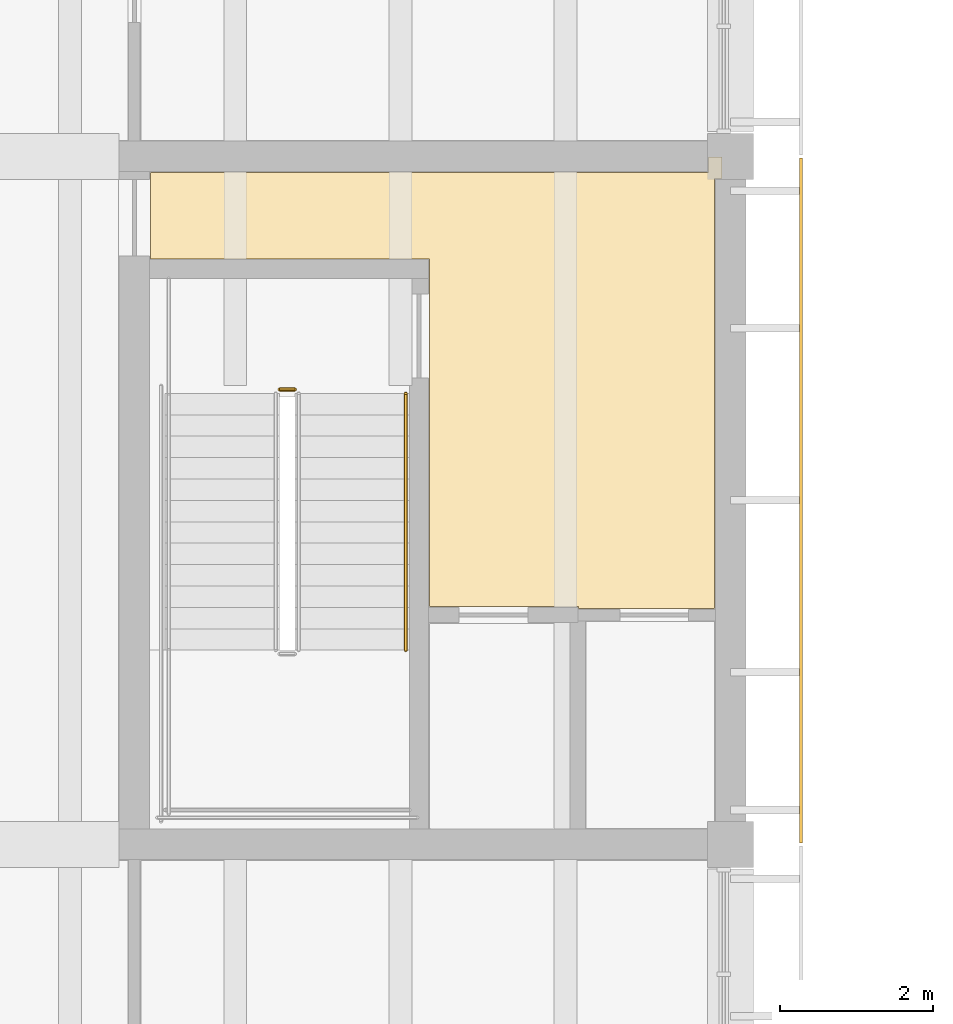
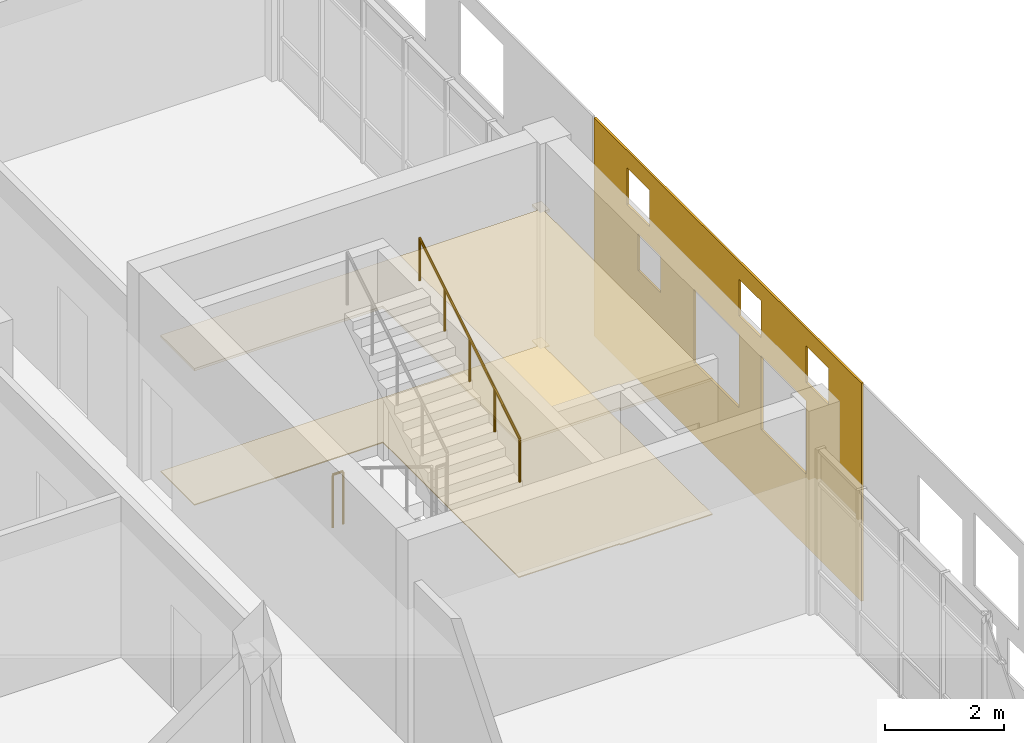
# One storey, part 75 of 88: 3 coverings, 2 railings.
"""IFC4 building model written with IfcOpenShell, lengths in metres."""

from ifc_helpers import new_model, si_unit, direction, frame, origin, origin_2d, place, context, subcontext, project, spatial, polyline, circle, outline, extrude, source, transform, mapped, material, layer, layer_set, type_object, element, save


model = new_model("IFC4")

# Units and contexts
model_context = context("Model", 3, precision=1e-05, world=origin(), true_north=direction((0.0, 1.0)))
body_context = subcontext(model_context, "Body", "Model", "MODEL_VIEW")
ifc_project = project(units=[si_unit("LENGTHUNIT", "METRE"), si_unit("AREAUNIT", "SQUARE_METRE"), si_unit("VOLUMEUNIT", "CUBIC_METRE"), si_unit("PLANEANGLEUNIT", "RADIAN"), si_unit("MASSUNIT", "GRAM", prefix="KILO")], contexts=[model_context])

# Site, building, storey
site_placement = place(None, origin())
site = spatial("IfcSite", under=ifc_project, at=site_placement, CompositionType="ELEMENT")
building_placement = place(site_placement, origin())
building = spatial("IfcBuilding", under=site, at=building_placement, Name="Merrow Basin Faculty of Sciences", CompositionType="ELEMENT")
storey_placement = place(building_placement, frame((0.0, 0.0, 9.0)))
storey = spatial("IfcBuildingStorey", under=building, at=storey_placement, Name="L02", CompositionType="ELEMENT", Elevation=9.0)

# Covering
ifc_material_1 = material(Name="Polished terrazzo floor")
ifc_layer_1 = layer(ifc_material_1, 0.02001953125)
ifc_layer_set_1 = layer_set([ifc_layer_1], Name="Polished terrazzo floor")
covering_type_1 = type_object("IfcCoveringType", Name="Polished terrazzo floor", PredefinedType="FLOORING", material=ifc_layer_set_1)
covering_1_placement = place(storey_placement, origin())
element("IfcCovering", 1, at=covering_1_placement, inside=storey, type_object=covering_type_1, Name="Floor finish L02-B-007", PredefinedType="FLOORING", context=body_context, shape_type="SweptSolid", body=[
    extrude(outline(polyline([(21.389892578125, 91.0849609375), (19.610107421875, 91.0849609375), (19.610107421875, 91.110107421875), (17.659912109375, 91.110107421875), (17.659912109375, 95.659912109375), (14.010009765625, 95.659912109375), (14.010009765625, 96.7900390625), (21.31005859375, 96.7900390625), (21.31005859375, 96.989990234375), (21.489990234375, 96.989990234375), (21.489990234375, 96.7099609375), (21.389892578125, 96.7099609375), (21.389892578125, 91.0849609375)])), origin(), (0.0, 0.0, 1.0), 0.02001953125),
])

# Railings
ifc_material_2 = material(Name="Steel ASTM A36", Category="steel")
railing_type_1 = type_object("IfcRailingType", Name="Steel guard 1100", PredefinedType="GUARDRAIL", material=ifc_material_2)
railing_1_placement = place(storey_placement, frame((15.699951171875, 93.949951171875, 0.0)))
element("IfcRailing", 2, at=railing_1_placement, inside=storey, type_object=railing_type_1, Name="L02 ST-V4-M stair guard 6", PredefinedType="GUARDRAIL", context=body_context, shape_type="SweptSolid", body=[
    extrude(circle(Radius=0.02392578125, at=origin_2d()), frame((0.0, 0.0, 1.076171875), z_axis=(1.0, 0.0, 0.0), x_axis=(0.0, 1.0, 0.0)), (0.0, 0.0, 1.0), 0.199951171875),
    extrude(circle(Radius=0.02099609375, at=origin_2d()), origin(), (0.0, 0.0, 1.0), 1.052001953125),
    extrude(circle(Radius=0.02099609375, at=origin_2d()), frame((0.199951171875, 0.0, 0.0)), (0.0, 0.0, 1.0), 1.052001953125),
])
ifc_material_3 = material(Name="Steel ASTM A36", Category="steel")
railing_type_2 = type_object("IfcRailingType", Name="Steel handrail 900", PredefinedType="HANDRAIL", material=ifc_material_3)
railing_2_placement = place(storey_placement, frame((17.35009765625, 90.5400390625, 2.423095703125)))
element("IfcRailing", 3, at=railing_2_placement, inside=storey, type_object=railing_type_2, Name="L02 ST-V4-M stair handrail 2", PredefinedType="HANDRAIL", context=body_context, shape_type="SweptSolid", body=[
    extrude(circle(Radius=0.02392578125, at=origin_2d()), frame((0.0, 0.0, 0.8759765625), z_axis=(0.0, 0.850606129759, 0.525803396734), x_axis=(-1.0, 0.0, 0.0)), (0.0, 0.0, 1.0), 3.949951171875),
    extrude(circle(Radius=0.02099609375, at=origin_2d()), origin(), (0.0, 0.0, 1.0), 0.851806640625),
    extrude(circle(Radius=0.02099609375, at=origin_2d()), frame((0.0, 0.83984375, 0.519287109375)), (0.0, 0.0, 1.0), 0.851806640625),
    extrude(circle(Radius=0.02099609375, at=origin_2d()), frame((0.0, 1.679931640625, 1.03857421875)), (0.0, 0.0, 1.0), 0.851806640625),
    extrude(circle(Radius=0.02099609375, at=origin_2d()), frame((0.0, 2.52001953125, 1.5576171875)), (0.0, 0.0, 1.0), 0.851806640625),
    extrude(circle(Radius=0.02099609375, at=origin_2d()), frame((0.0, 3.35986328125, 2.076904296875)), (0.0, 0.0, 1.0), 0.851806640625),
])

# Coverings
ifc_material_4 = material(Name="Mineral fibre ceiling tile")
ifc_layer_2 = layer(ifc_material_4, 0.050048828125)
ifc_layer_set_2 = layer_set([ifc_layer_2], Name="Suspended acoustic ceiling tile")
covering_type_2 = type_object("IfcCoveringType", Name="Suspended acoustic ceiling tile", PredefinedType="CEILING", material=ifc_layer_set_2)
covering_2_placement = place(storey_placement, frame((0.0, 0.0, 2.75)))
element("IfcCovering", 4, at=covering_2_placement, inside=storey, type_object=covering_type_2, Name="Ceiling L02-B-007", PredefinedType="CEILING", context=body_context, shape_type="SweptSolid", body=[
    extrude(outline(polyline([(21.389892578125, 91.0849609375), (19.610107421875, 91.0849609375), (19.610107421875, 91.110107421875), (17.659912109375, 91.110107421875), (17.659912109375, 95.659912109375), (14.010009765625, 95.659912109375), (14.010009765625, 96.7900390625), (21.31005859375, 96.7900390625), (21.31005859375, 96.989990234375), (21.489990234375, 96.989990234375), (21.489990234375, 96.7099609375), (21.389892578125, 96.7099609375), (21.389892578125, 91.0849609375)])), origin(), (0.0, 0.0, 1.0), 0.050048828125),
])
ifc_material_5 = material(Name="White powder-coated aluminium", Category="aluminium")
ifc_layer_3 = layer(ifc_material_5, 0.0400390625)
ifc_layer_set_3 = layer_set([ifc_layer_3], Name="Perforated panel 9000 x 4500")
covering_type_3 = type_object("IfcCoveringType", Name="Perforated panel 9000 x 4500", PredefinedType="CLADDING", material=ifc_layer_set_3)
shared_shape = source(origin(), body_context, "Body", "SweptSolid", [
    extrude(outline(polyline([(0.02001953125, 0.02001953125), (8.97998046875, 0.02001953125), (8.97998046875, 4.47998046875), (0.02001953125, 4.47998046875), (0.02001953125, 0.02001953125)]), holes=[polyline([(5.625, 1.5), (7.125, 1.5), (7.125, 3.0), (5.625, 3.0), (5.625, 1.5)]), polyline([(3.375, 1.5), (4.875, 1.5), (4.875, 3.0), (3.375, 3.0), (3.375, 1.5)]), polyline([(1.5, 2.25), (2.25, 2.25), (2.25, 3.0), (1.5, 3.0), (1.5, 2.25)]), polyline([(7.125, 3.375), (7.875, 3.375), (7.875, 4.125), (7.125, 4.125), (7.125, 3.375)]), polyline([(4.875, 3.375), (5.625, 3.375), (5.625, 4.125), (4.875, 4.125), (4.875, 3.375)]), polyline([(1.125, 3.375), (1.875, 3.375), (1.875, 4.125), (1.125, 4.125), (1.125, 3.375)])]), origin(), (0.0, 0.0, 1.0), 0.0400390625),
])
covering_3_placement = place(storey_placement, frame((22.5400390625, 97.0, -0.320068359375), z_axis=(-1.0, 0.0, 0.0), x_axis=(0.0, -1.0, 0.0)))
element("IfcCovering", 5, at=covering_3_placement, inside=storey, type_object=covering_type_3, Name="Perforated panel EL02-04", PredefinedType="CLADDING", context=body_context, shape_type="MappedRepresentation", body=[
    mapped(shared_shape, transform((0.0, 0.0, 0.0), scale=1.0)),
])

save(model, "model.ifc")
